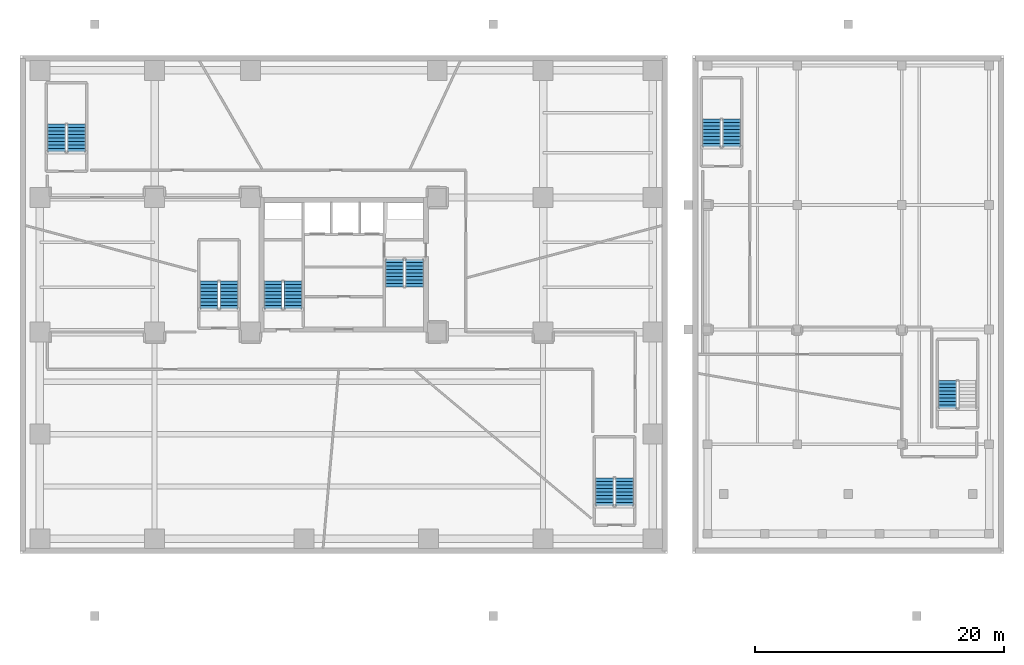
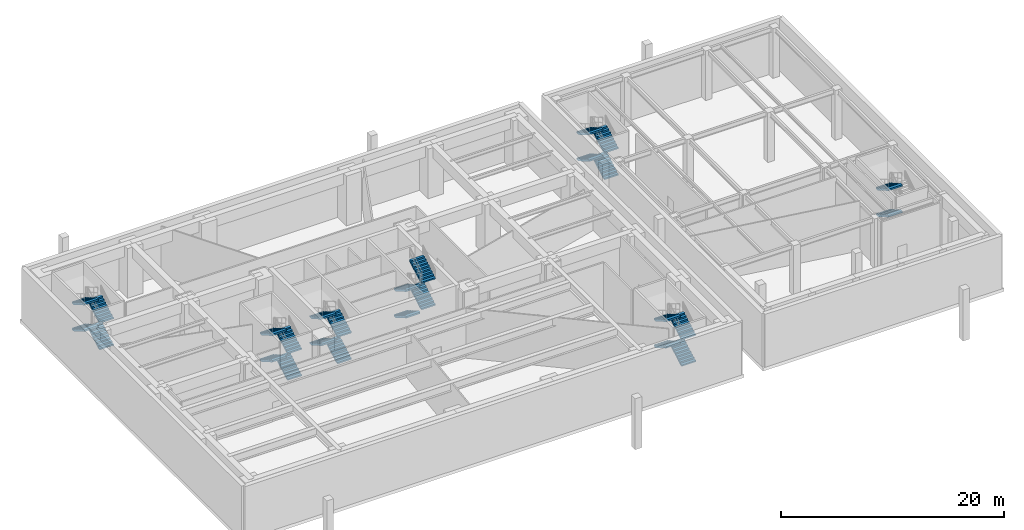
# One storey, part 7 of 12: 26 stair flights, 7 elements without a shape of their own.
"""IFC4 building model written with IfcOpenShell, lengths in metres."""

from ifc_helpers import new_model, si_unit, direction, frame, origin, place, context, subcontext, project, spatial, polyline, outline, extrude, material, layer, layer_set, type_object, element, aggregate, save


model = new_model("IFC4")

# Units and contexts
model_context = context("Model", 3, precision=1e-05, world=origin(), true_north=direction((0.0, 1.0)))
body_context = subcontext(model_context, "Body", "Model", "MODEL_VIEW")
ifc_project = project(units=[si_unit("LENGTHUNIT", "METRE"), si_unit("AREAUNIT", "SQUARE_METRE"), si_unit("VOLUMEUNIT", "CUBIC_METRE"), si_unit("PLANEANGLEUNIT", "RADIAN"), si_unit("MASSUNIT", "GRAM", prefix="KILO")], contexts=[model_context])

# Site, building, storey
site_placement = place(None, origin())
site = spatial("IfcSite", under=ifc_project, at=site_placement, CompositionType="ELEMENT")
building_placement = place(site_placement, origin())
building = spatial("IfcBuilding", under=site, at=building_placement, Name="Talar Marvaseh", CompositionType="ELEMENT")
storey_placement = place(building_placement, frame((0.0, 0.0, -5.800048828125)))
storey = spatial("IfcBuildingStorey", under=building, at=storey_placement, Name="B01", CompositionType="ELEMENT", Elevation=-5.800048828125)

# Stair, stair flights
ifc_material = material(Name="Concrete C40/50", Category="concrete")
stair_type = type_object("IfcStairType", Name="Reinforced Concrete Half-Turn Exit Stair Type A", PredefinedType="HALF_TURN_STAIR", material=ifc_material)
stair_1_placement = place(storey_placement, origin())
stair_1 = element("IfcStair", 1, at=stair_1_placement, inside=storey, type_object=stair_type, Name="B01 Tower West Core Exit Stair", PredefinedType="HALF_TURN_STAIR")
ifc_layer = layer(ifc_material, 0.18505859375)
ifc_layer_set = layer_set([ifc_layer], Name="Concrete C40/50")
stair_flight_type = type_object("IfcStairFlightType", Name="Reinforced Concrete Heavy Podium Stair Flight 185", PredefinedType="STRAIGHT", material=ifc_layer_set)
stair_flight_1_placement = place(storey_placement, frame((21.93505859375, 27.64990234375, 0.0), z_axis=(0.0, 0.0, 1.0), x_axis=(0.0, 1.0, 0.0)))
stair_flight_1 = element("IfcStairFlight", 2, at=stair_flight_1_placement, type_object=stair_flight_type, Name="ST-1 flight 1", NumberOfRisers=9, NumberOfTreads=8, PredefinedType="STRAIGHT", RiserHeight=0.161111111, TreadLength=0.28, context=body_context, shape_type="SweptSolid", body=[
    extrude(outline(polyline([(0.0, 0.0), (0.0, 0.1611328125), (0.280029296875, 0.1611328125), (0.280029296875, 0.322265625), (0.56005859375, 0.322265625), (0.56005859375, 0.4833984375), (0.840087890625, 0.4833984375), (0.840087890625, 0.64453125), (1.1201171875, 0.64453125), (1.1201171875, 0.8056640625), (1.39990234375, 0.8056640625), (1.39990234375, 0.966552734375), (1.679931640625, 0.966552734375), (1.679931640625, 1.127685546875), (1.9599609375, 1.127685546875), (1.9599609375, 1.288818359375), (2.239990234375, 1.288818359375), (2.239990234375, 1.449951171875), (2.239990234375, 1.1044921875), (0.320556640625, 0.0), (0.0, 0.0)])), frame((0.0, 0.72509765625, 0.0), z_axis=(0.0, -1.0, 0.0), x_axis=(1.0, 0.0, 0.0)), (0.0, 0.0, 1.0), 1.449951171875),
])
stair_flight_2_placement = place(storey_placement, frame((20.324951171875, 29.889892578125, 1.449951171875), z_axis=(0.0, 0.0, 1.0), x_axis=(0.0, -1.0, 0.0)))
stair_flight_2 = element("IfcStairFlight", 3, at=stair_flight_2_placement, type_object=stair_flight_type, Name="ST-1 flight 2", NumberOfRisers=9, NumberOfTreads=8, PredefinedType="STRAIGHT", RiserHeight=0.161111111, TreadLength=0.28, context=body_context, shape_type="SweptSolid", body=[
    extrude(outline(polyline([(0.0, 0.0), (0.0, 0.1611328125), (0.280029296875, 0.1611328125), (0.280029296875, 0.322265625), (0.56005859375, 0.322265625), (0.56005859375, 0.4833984375), (0.840087890625, 0.4833984375), (0.840087890625, 0.64453125), (1.1201171875, 0.64453125), (1.1201171875, 0.8056640625), (1.39990234375, 0.8056640625), (1.39990234375, 0.966552734375), (1.679931640625, 0.966552734375), (1.679931640625, 1.127685546875), (1.9599609375, 1.127685546875), (1.9599609375, 1.288818359375), (2.239990234375, 1.288818359375), (2.239990234375, 1.449951171875), (2.239990234375, 1.1044921875), (0.320556640625, 0.0), (0.0, 0.0)])), frame((0.0, 0.72509765625, 0.0), z_axis=(0.0, -1.0, 0.0), x_axis=(1.0, 0.0, 0.0)), (0.0, 0.0, 1.0), 1.449951171875),
])
stair_flight_3_placement = place(storey_placement, frame((21.93505859375, 27.64990234375, 2.900146484375), z_axis=(0.0, 0.0, 1.0), x_axis=(0.0, 1.0, 0.0)))
stair_flight_3 = element("IfcStairFlight", 4, at=stair_flight_3_placement, type_object=stair_flight_type, Name="ST-1 flight 3", NumberOfRisers=9, NumberOfTreads=8, PredefinedType="STRAIGHT", RiserHeight=0.161111111, TreadLength=0.28, context=body_context, shape_type="SweptSolid", body=[
    extrude(outline(polyline([(0.0, 0.0), (0.0, 0.1611328125), (0.280029296875, 0.1611328125), (0.280029296875, 0.322265625), (0.56005859375, 0.322265625), (0.56005859375, 0.4833984375), (0.840087890625, 0.4833984375), (0.840087890625, 0.64453125), (1.1201171875, 0.64453125), (1.1201171875, 0.8056640625), (1.39990234375, 0.8056640625), (1.39990234375, 0.966552734375), (1.679931640625, 0.966552734375), (1.679931640625, 1.127685546875), (1.9599609375, 1.127685546875), (1.9599609375, 1.288818359375), (2.239990234375, 1.288818359375), (2.239990234375, 1.449951171875), (2.239990234375, 1.1044921875), (0.320556640625, 0.0), (0.0, 0.0)])), frame((0.0, 0.72509765625, 0.0), z_axis=(0.0, -1.0, 0.0), x_axis=(1.0, 0.0, 0.0)), (0.0, 0.0, 1.0), 1.449951171875),
])
stair_flight_4_placement = place(storey_placement, frame((20.324951171875, 29.889892578125, 4.35009765625), z_axis=(0.0, 0.0, 1.0), x_axis=(0.0, -1.0, 0.0)))
stair_flight_4 = element("IfcStairFlight", 5, at=stair_flight_4_placement, type_object=stair_flight_type, Name="ST-1 flight 4", NumberOfRisers=9, NumberOfTreads=8, PredefinedType="STRAIGHT", RiserHeight=0.161111111, TreadLength=0.28, context=body_context, shape_type="SweptSolid", body=[
    extrude(outline(polyline([(0.0, 0.0), (0.0, 0.1611328125), (0.280029296875, 0.1611328125), (0.280029296875, 0.322265625), (0.56005859375, 0.322265625), (0.56005859375, 0.4833984375), (0.840087890625, 0.4833984375), (0.840087890625, 0.64453125), (1.1201171875, 0.64453125), (1.1201171875, 0.8056640625), (1.39990234375, 0.8056640625), (1.39990234375, 0.966552734375), (1.679931640625, 0.966552734375), (1.679931640625, 1.127685546875), (1.9599609375, 1.127685546875), (1.9599609375, 1.288818359375), (2.239990234375, 1.288818359375), (2.239990234375, 1.449951171875), (2.239990234375, 1.1044921875), (0.320556640625, 0.0), (0.0, 0.0)])), frame((0.0, 0.72509765625, 0.0), z_axis=(0.0, -1.0, 0.0), x_axis=(1.0, 0.0, 0.0)), (0.0, 0.0, 1.0), 1.449951171875),
])
aggregate(stair_1, [stair_flight_1, stair_flight_2, stair_flight_3, stair_flight_4])

stair_2_placement = place(storey_placement, origin())
stair_2 = element("IfcStair", 6, at=stair_2_placement, inside=storey, type_object=stair_type, Name="B01 Tower East Core Exit Stair", PredefinedType="HALF_TURN_STAIR")
stair_flight_5_placement = place(storey_placement, frame((30.06494140625, 31.64990234375, 0.0), z_axis=(0.0, 0.0, 1.0), x_axis=(0.0, -1.0, 0.0)))
stair_flight_5 = element("IfcStairFlight", 7, at=stair_flight_5_placement, type_object=stair_flight_type, Name="ST-2 flight 1", NumberOfRisers=9, NumberOfTreads=8, PredefinedType="STRAIGHT", RiserHeight=0.161111111, TreadLength=0.28, context=body_context, shape_type="SweptSolid", body=[
    extrude(outline(polyline([(0.0, 0.0), (0.0, 0.1611328125), (0.280029296875, 0.1611328125), (0.280029296875, 0.322265625), (0.56005859375, 0.322265625), (0.56005859375, 0.4833984375), (0.840087890625, 0.4833984375), (0.840087890625, 0.64453125), (1.1201171875, 0.64453125), (1.1201171875, 0.8056640625), (1.39990234375, 0.8056640625), (1.39990234375, 0.966552734375), (1.679931640625, 0.966552734375), (1.679931640625, 1.127685546875), (1.9599609375, 1.127685546875), (1.9599609375, 1.288818359375), (2.239990234375, 1.288818359375), (2.239990234375, 1.449951171875), (2.239990234375, 1.1044921875), (0.320556640625, 0.0), (0.0, 0.0)])), frame((0.0, 0.72509765625, 0.0), z_axis=(0.0, -1.0, 0.0), x_axis=(1.0, 0.0, 0.0)), (0.0, 0.0, 1.0), 1.449951171875),
])
stair_flight_6_placement = place(storey_placement, frame((31.675048828125, 29.409912109375, 1.449951171875), z_axis=(0.0, 0.0, 1.0), x_axis=(0.0, 1.0, 0.0)))
stair_flight_6 = element("IfcStairFlight", 8, at=stair_flight_6_placement, type_object=stair_flight_type, Name="ST-2 flight 2", NumberOfRisers=9, NumberOfTreads=8, PredefinedType="STRAIGHT", RiserHeight=0.161111111, TreadLength=0.28, context=body_context, shape_type="SweptSolid", body=[
    extrude(outline(polyline([(0.0, 0.0), (0.0, 0.1611328125), (0.280029296875, 0.1611328125), (0.280029296875, 0.322265625), (0.56005859375, 0.322265625), (0.56005859375, 0.4833984375), (0.840087890625, 0.4833984375), (0.840087890625, 0.64453125), (1.1201171875, 0.64453125), (1.1201171875, 0.8056640625), (1.39990234375, 0.8056640625), (1.39990234375, 0.966552734375), (1.679931640625, 0.966552734375), (1.679931640625, 1.127685546875), (1.9599609375, 1.127685546875), (1.9599609375, 1.288818359375), (2.239990234375, 1.288818359375), (2.239990234375, 1.449951171875), (2.239990234375, 1.1044921875), (0.320556640625, 0.0), (0.0, 0.0)])), frame((0.0, 0.72509765625, 0.0), z_axis=(0.0, -1.0, 0.0), x_axis=(1.0, 0.0, 0.0)), (0.0, 0.0, 1.0), 1.449951171875),
])
stair_flight_7_placement = place(storey_placement, frame((30.06494140625, 31.64990234375, 2.900146484375), z_axis=(0.0, 0.0, 1.0), x_axis=(0.0, -1.0, 0.0)))
stair_flight_7 = element("IfcStairFlight", 9, at=stair_flight_7_placement, type_object=stair_flight_type, Name="ST-2 flight 3", NumberOfRisers=9, NumberOfTreads=8, PredefinedType="STRAIGHT", RiserHeight=0.161111111, TreadLength=0.28, context=body_context, shape_type="SweptSolid", body=[
    extrude(outline(polyline([(0.0, 0.0), (0.0, 0.1611328125), (0.280029296875, 0.1611328125), (0.280029296875, 0.322265625), (0.56005859375, 0.322265625), (0.56005859375, 0.4833984375), (0.840087890625, 0.4833984375), (0.840087890625, 0.64453125), (1.1201171875, 0.64453125), (1.1201171875, 0.8056640625), (1.39990234375, 0.8056640625), (1.39990234375, 0.966552734375), (1.679931640625, 0.966552734375), (1.679931640625, 1.127685546875), (1.9599609375, 1.127685546875), (1.9599609375, 1.288818359375), (2.239990234375, 1.288818359375), (2.239990234375, 1.449951171875), (2.239990234375, 1.1044921875), (0.320556640625, 0.0), (0.0, 0.0)])), frame((0.0, 0.72509765625, 0.0), z_axis=(0.0, -1.0, 0.0), x_axis=(1.0, 0.0, 0.0)), (0.0, 0.0, 1.0), 1.449951171875),
])
stair_flight_8_placement = place(storey_placement, frame((31.675048828125, 29.409912109375, 4.35009765625), z_axis=(0.0, 0.0, 1.0), x_axis=(0.0, 1.0, 0.0)))
stair_flight_8 = element("IfcStairFlight", 10, at=stair_flight_8_placement, type_object=stair_flight_type, Name="ST-2 flight 4", NumberOfRisers=9, NumberOfTreads=8, PredefinedType="STRAIGHT", RiserHeight=0.161111111, TreadLength=0.28, context=body_context, shape_type="SweptSolid", body=[
    extrude(outline(polyline([(0.0, 0.0), (0.0, 0.1611328125), (0.280029296875, 0.1611328125), (0.280029296875, 0.322265625), (0.56005859375, 0.322265625), (0.56005859375, 0.4833984375), (0.840087890625, 0.4833984375), (0.840087890625, 0.64453125), (1.1201171875, 0.64453125), (1.1201171875, 0.8056640625), (1.39990234375, 0.8056640625), (1.39990234375, 0.966552734375), (1.679931640625, 0.966552734375), (1.679931640625, 1.127685546875), (1.9599609375, 1.127685546875), (1.9599609375, 1.288818359375), (2.239990234375, 1.288818359375), (2.239990234375, 1.449951171875), (2.239990234375, 1.1044921875), (0.320556640625, 0.0), (0.0, 0.0)])), frame((0.0, 0.72509765625, 0.0), z_axis=(0.0, -1.0, 0.0), x_axis=(1.0, 0.0, 0.0)), (0.0, 0.0, 1.0), 1.449951171875),
])
aggregate(stair_2, [stair_flight_5, stair_flight_6, stair_flight_7, stair_flight_8])

stair_3_placement = place(storey_placement, origin())
stair_3 = element("IfcStair", 11, at=stair_3_placement, inside=storey, type_object=stair_type, Name="B01 Museum & Podium Auxiliary Exit Stair", PredefinedType="HALF_TURN_STAIR")
stair_flight_9_placement = place(storey_placement, frame((16.77490234375, 27.64990234375, 0.0), z_axis=(0.0, 0.0, 1.0), x_axis=(0.0, 1.0, 0.0)))
stair_flight_9 = element("IfcStairFlight", 12, at=stair_flight_9_placement, type_object=stair_flight_type, Name="ST-3 flight 1", NumberOfRisers=9, NumberOfTreads=8, PredefinedType="STRAIGHT", RiserHeight=0.161111111, TreadLength=0.28, context=body_context, shape_type="SweptSolid", body=[
    extrude(outline(polyline([(0.0, 0.0), (0.0, 0.1611328125), (0.280029296875, 0.1611328125), (0.280029296875, 0.322265625), (0.56005859375, 0.322265625), (0.56005859375, 0.4833984375), (0.840087890625, 0.4833984375), (0.840087890625, 0.64453125), (1.1201171875, 0.64453125), (1.1201171875, 0.8056640625), (1.39990234375, 0.8056640625), (1.39990234375, 0.966552734375), (1.679931640625, 0.966552734375), (1.679931640625, 1.127685546875), (1.9599609375, 1.127685546875), (1.9599609375, 1.288818359375), (2.239990234375, 1.288818359375), (2.239990234375, 1.449951171875), (2.239990234375, 1.1044921875), (0.320556640625, 0.0), (0.0, 0.0)])), frame((0.0, 0.72509765625, 0.0), z_axis=(0.0, -1.0, 0.0), x_axis=(1.0, 0.0, 0.0)), (0.0, 0.0, 1.0), 1.449951171875),
])
stair_flight_10_placement = place(storey_placement, frame((15.1650390625, 29.889892578125, 1.449951171875), z_axis=(0.0, 0.0, 1.0), x_axis=(0.0, -1.0, 0.0)))
stair_flight_10 = element("IfcStairFlight", 13, at=stair_flight_10_placement, type_object=stair_flight_type, Name="ST-3 flight 2", NumberOfRisers=9, NumberOfTreads=8, PredefinedType="STRAIGHT", RiserHeight=0.161111111, TreadLength=0.28, context=body_context, shape_type="SweptSolid", body=[
    extrude(outline(polyline([(0.0, 0.0), (0.0, 0.1611328125), (0.280029296875, 0.1611328125), (0.280029296875, 0.322265625), (0.56005859375, 0.322265625), (0.56005859375, 0.4833984375), (0.840087890625, 0.4833984375), (0.840087890625, 0.64453125), (1.1201171875, 0.64453125), (1.1201171875, 0.8056640625), (1.39990234375, 0.8056640625), (1.39990234375, 0.966552734375), (1.679931640625, 0.966552734375), (1.679931640625, 1.127685546875), (1.9599609375, 1.127685546875), (1.9599609375, 1.288818359375), (2.239990234375, 1.288818359375), (2.239990234375, 1.449951171875), (2.239990234375, 1.1044921875), (0.320556640625, 0.0), (0.0, 0.0)])), frame((0.0, 0.72509765625, 0.0), z_axis=(0.0, -1.0, 0.0), x_axis=(1.0, 0.0, 0.0)), (0.0, 0.0, 1.0), 1.449951171875),
])
stair_flight_11_placement = place(storey_placement, frame((16.77490234375, 27.64990234375, 2.900146484375), z_axis=(0.0, 0.0, 1.0), x_axis=(0.0, 1.0, 0.0)))
stair_flight_11 = element("IfcStairFlight", 14, at=stair_flight_11_placement, type_object=stair_flight_type, Name="ST-3 flight 3", NumberOfRisers=9, NumberOfTreads=8, PredefinedType="STRAIGHT", RiserHeight=0.161111111, TreadLength=0.28, context=body_context, shape_type="SweptSolid", body=[
    extrude(outline(polyline([(0.0, 0.0), (0.0, 0.1611328125), (0.280029296875, 0.1611328125), (0.280029296875, 0.322265625), (0.56005859375, 0.322265625), (0.56005859375, 0.4833984375), (0.840087890625, 0.4833984375), (0.840087890625, 0.64453125), (1.1201171875, 0.64453125), (1.1201171875, 0.8056640625), (1.39990234375, 0.8056640625), (1.39990234375, 0.966552734375), (1.679931640625, 0.966552734375), (1.679931640625, 1.127685546875), (1.9599609375, 1.127685546875), (1.9599609375, 1.288818359375), (2.239990234375, 1.288818359375), (2.239990234375, 1.449951171875), (2.239990234375, 1.1044921875), (0.320556640625, 0.0), (0.0, 0.0)])), frame((0.0, 0.72509765625, 0.0), z_axis=(0.0, -1.0, 0.0), x_axis=(1.0, 0.0, 0.0)), (0.0, 0.0, 1.0), 1.449951171875),
])
stair_flight_12_placement = place(storey_placement, frame((15.1650390625, 29.889892578125, 4.35009765625), z_axis=(0.0, 0.0, 1.0), x_axis=(0.0, -1.0, 0.0)))
stair_flight_12 = element("IfcStairFlight", 15, at=stair_flight_12_placement, type_object=stair_flight_type, Name="ST-3 flight 4", NumberOfRisers=9, NumberOfTreads=8, PredefinedType="STRAIGHT", RiserHeight=0.161111111, TreadLength=0.28, context=body_context, shape_type="SweptSolid", body=[
    extrude(outline(polyline([(0.0, 0.0), (0.0, 0.1611328125), (0.280029296875, 0.1611328125), (0.280029296875, 0.322265625), (0.56005859375, 0.322265625), (0.56005859375, 0.4833984375), (0.840087890625, 0.4833984375), (0.840087890625, 0.64453125), (1.1201171875, 0.64453125), (1.1201171875, 0.8056640625), (1.39990234375, 0.8056640625), (1.39990234375, 0.966552734375), (1.679931640625, 0.966552734375), (1.679931640625, 1.127685546875), (1.9599609375, 1.127685546875), (1.9599609375, 1.288818359375), (2.239990234375, 1.288818359375), (2.239990234375, 1.449951171875), (2.239990234375, 1.1044921875), (0.320556640625, 0.0), (0.0, 0.0)])), frame((0.0, 0.72509765625, 0.0), z_axis=(0.0, -1.0, 0.0), x_axis=(1.0, 0.0, 0.0)), (0.0, 0.0, 1.0), 1.449951171875),
])
aggregate(stair_3, [stair_flight_9, stair_flight_10, stair_flight_11, stair_flight_12])

stair_4_placement = place(storey_placement, origin())
stair_4 = element("IfcStair", 16, at=stair_4_placement, inside=storey, type_object=stair_type, Name="B01 Market Hall North-West Exit Stair", PredefinedType="HALF_TURN_STAIR")
stair_flight_13_placement = place(storey_placement, frame((57.135009765625, 40.64990234375, 0.0), z_axis=(0.0, 0.0, 1.0), x_axis=(0.0, 1.0, 0.0)))
stair_flight_13 = element("IfcStairFlight", 17, at=stair_flight_13_placement, type_object=stair_flight_type, Name="MH-ST1 flight 1", NumberOfRisers=9, NumberOfTreads=8, PredefinedType="STRAIGHT", RiserHeight=0.161111111, TreadLength=0.28, context=body_context, shape_type="SweptSolid", body=[
    extrude(outline(polyline([(0.0, 0.0), (0.0, 0.1611328125), (0.280029296875, 0.1611328125), (0.280029296875, 0.322265625), (0.56005859375, 0.322265625), (0.56005859375, 0.4833984375), (0.840087890625, 0.4833984375), (0.840087890625, 0.64453125), (1.1201171875, 0.64453125), (1.1201171875, 0.8056640625), (1.39990234375, 0.8056640625), (1.39990234375, 0.966552734375), (1.679931640625, 0.966552734375), (1.679931640625, 1.127685546875), (1.9599609375, 1.127685546875), (1.9599609375, 1.288818359375), (2.239990234375, 1.288818359375), (2.239990234375, 1.449951171875), (2.239990234375, 1.1044921875), (0.320556640625, 0.0), (0.0, 0.0)])), frame((0.0, 0.72509765625, 0.0), z_axis=(0.0, -1.0, 0.0), x_axis=(1.0, 0.0, 0.0)), (0.0, 0.0, 1.0), 1.449951171875),
])
stair_flight_14_placement = place(storey_placement, frame((55.52490234375, 42.889892578125, 1.449951171875), z_axis=(0.0, 0.0, 1.0), x_axis=(0.0, -1.0, 0.0)))
stair_flight_14 = element("IfcStairFlight", 18, at=stair_flight_14_placement, type_object=stair_flight_type, Name="MH-ST1 flight 2", NumberOfRisers=9, NumberOfTreads=8, PredefinedType="STRAIGHT", RiserHeight=0.161111111, TreadLength=0.28, context=body_context, shape_type="SweptSolid", body=[
    extrude(outline(polyline([(0.0, 0.0), (0.0, 0.1611328125), (0.280029296875, 0.1611328125), (0.280029296875, 0.322265625), (0.56005859375, 0.322265625), (0.56005859375, 0.4833984375), (0.840087890625, 0.4833984375), (0.840087890625, 0.64453125), (1.1201171875, 0.64453125), (1.1201171875, 0.8056640625), (1.39990234375, 0.8056640625), (1.39990234375, 0.966552734375), (1.679931640625, 0.966552734375), (1.679931640625, 1.127685546875), (1.9599609375, 1.127685546875), (1.9599609375, 1.288818359375), (2.239990234375, 1.288818359375), (2.239990234375, 1.449951171875), (2.239990234375, 1.1044921875), (0.320556640625, 0.0), (0.0, 0.0)])), frame((0.0, 0.72509765625, 0.0), z_axis=(0.0, -1.0, 0.0), x_axis=(1.0, 0.0, 0.0)), (0.0, 0.0, 1.0), 1.449951171875),
])
stair_flight_15_placement = place(storey_placement, frame((57.135009765625, 40.64990234375, 2.900146484375), z_axis=(0.0, 0.0, 1.0), x_axis=(0.0, 1.0, 0.0)))
stair_flight_15 = element("IfcStairFlight", 19, at=stair_flight_15_placement, type_object=stair_flight_type, Name="MH-ST1 flight 3", NumberOfRisers=9, NumberOfTreads=8, PredefinedType="STRAIGHT", RiserHeight=0.161111111, TreadLength=0.28, context=body_context, shape_type="SweptSolid", body=[
    extrude(outline(polyline([(0.0, 0.0), (0.0, 0.1611328125), (0.280029296875, 0.1611328125), (0.280029296875, 0.322265625), (0.56005859375, 0.322265625), (0.56005859375, 0.4833984375), (0.840087890625, 0.4833984375), (0.840087890625, 0.64453125), (1.1201171875, 0.64453125), (1.1201171875, 0.8056640625), (1.39990234375, 0.8056640625), (1.39990234375, 0.966552734375), (1.679931640625, 0.966552734375), (1.679931640625, 1.127685546875), (1.9599609375, 1.127685546875), (1.9599609375, 1.288818359375), (2.239990234375, 1.288818359375), (2.239990234375, 1.449951171875), (2.239990234375, 1.1044921875), (0.320556640625, 0.0), (0.0, 0.0)])), frame((0.0, 0.72509765625, 0.0), z_axis=(0.0, -1.0, 0.0), x_axis=(1.0, 0.0, 0.0)), (0.0, 0.0, 1.0), 1.449951171875),
])
stair_flight_16_placement = place(storey_placement, frame((55.52490234375, 42.889892578125, 4.35009765625), z_axis=(0.0, 0.0, 1.0), x_axis=(0.0, -1.0, 0.0)))
stair_flight_16 = element("IfcStairFlight", 20, at=stair_flight_16_placement, type_object=stair_flight_type, Name="MH-ST1 flight 4", NumberOfRisers=9, NumberOfTreads=8, PredefinedType="STRAIGHT", RiserHeight=0.161111111, TreadLength=0.28, context=body_context, shape_type="SweptSolid", body=[
    extrude(outline(polyline([(0.0, 0.0), (0.0, 0.1611328125), (0.280029296875, 0.1611328125), (0.280029296875, 0.322265625), (0.56005859375, 0.322265625), (0.56005859375, 0.4833984375), (0.840087890625, 0.4833984375), (0.840087890625, 0.64453125), (1.1201171875, 0.64453125), (1.1201171875, 0.8056640625), (1.39990234375, 0.8056640625), (1.39990234375, 0.966552734375), (1.679931640625, 0.966552734375), (1.679931640625, 1.127685546875), (1.9599609375, 1.127685546875), (1.9599609375, 1.288818359375), (2.239990234375, 1.288818359375), (2.239990234375, 1.449951171875), (2.239990234375, 1.1044921875), (0.320556640625, 0.0), (0.0, 0.0)])), frame((0.0, 0.72509765625, 0.0), z_axis=(0.0, -1.0, 0.0), x_axis=(1.0, 0.0, 0.0)), (0.0, 0.0, 1.0), 1.449951171875),
])
aggregate(stair_4, [stair_flight_13, stair_flight_14, stair_flight_15, stair_flight_16])

stair_5_placement = place(storey_placement, origin())
stair_5 = element("IfcStair", 21, at=stair_5_placement, inside=storey, type_object=stair_type, Name="B01 Market Hall South-East Exit Stair", PredefinedType="HALF_TURN_STAIR")
stair_flight_17_placement = place(storey_placement, frame((74.465087890625, 21.889892578125, 1.449951171875), z_axis=(0.0, 0.0, 1.0), x_axis=(0.0, -1.0, 0.0)))
stair_flight_17 = element("IfcStairFlight", 22, at=stair_flight_17_placement, type_object=stair_flight_type, Name="MH-ST2 flight 2", NumberOfRisers=9, NumberOfTreads=8, PredefinedType="STRAIGHT", RiserHeight=0.161111111, TreadLength=0.28, context=body_context, shape_type="SweptSolid", body=[
    extrude(outline(polyline([(0.0, 0.0), (0.0, 0.1611328125), (0.280029296875, 0.1611328125), (0.280029296875, 0.322265625), (0.56005859375, 0.322265625), (0.56005859375, 0.4833984375), (0.840087890625, 0.4833984375), (0.840087890625, 0.64453125), (1.1201171875, 0.64453125), (1.1201171875, 0.8056640625), (1.39990234375, 0.8056640625), (1.39990234375, 0.966552734375), (1.679931640625, 0.966552734375), (1.679931640625, 1.127685546875), (1.9599609375, 1.127685546875), (1.9599609375, 1.288818359375), (2.239990234375, 1.288818359375), (2.239990234375, 1.449951171875), (2.239990234375, 1.1044921875), (0.320556640625, 0.0), (0.0, 0.0)])), frame((0.0, 0.72509765625, 0.0), z_axis=(0.0, -1.0, 0.0), x_axis=(1.0, 0.0, 0.0)), (0.0, 0.0, 1.0), 1.449951171875),
])
stair_flight_18_placement = place(storey_placement, frame((74.465087890625, 21.889892578125, 4.35009765625), z_axis=(0.0, 0.0, 1.0), x_axis=(0.0, -1.0, 0.0)))
stair_flight_18 = element("IfcStairFlight", 23, at=stair_flight_18_placement, type_object=stair_flight_type, Name="MH-ST2 flight 4", NumberOfRisers=9, NumberOfTreads=8, PredefinedType="STRAIGHT", RiserHeight=0.161111111, TreadLength=0.28, context=body_context, shape_type="SweptSolid", body=[
    extrude(outline(polyline([(0.0, 0.0), (0.0, 0.1611328125), (0.280029296875, 0.1611328125), (0.280029296875, 0.322265625), (0.56005859375, 0.322265625), (0.56005859375, 0.4833984375), (0.840087890625, 0.4833984375), (0.840087890625, 0.64453125), (1.1201171875, 0.64453125), (1.1201171875, 0.8056640625), (1.39990234375, 0.8056640625), (1.39990234375, 0.966552734375), (1.679931640625, 0.966552734375), (1.679931640625, 1.127685546875), (1.9599609375, 1.127685546875), (1.9599609375, 1.288818359375), (2.239990234375, 1.288818359375), (2.239990234375, 1.449951171875), (2.239990234375, 1.1044921875), (0.320556640625, 0.0), (0.0, 0.0)])), frame((0.0, 0.72509765625, 0.0), z_axis=(0.0, -1.0, 0.0), x_axis=(1.0, 0.0, 0.0)), (0.0, 0.0, 1.0), 1.449951171875),
])
aggregate(stair_5, [stair_flight_17, stair_flight_18])

stair_6_placement = place(storey_placement, origin())
stair_6 = element("IfcStair", 24, at=stair_6_placement, inside=storey, type_object=stair_type, Name="B01 Metro Station North-West Exit Stair", PredefinedType="HALF_TURN_STAIR")
stair_flight_19_placement = place(storey_placement, frame((4.534912109375, 40.25, 0.0), z_axis=(0.0, 0.0, 1.0), x_axis=(0.0, 1.0, 0.0)))
stair_flight_19 = element("IfcStairFlight", 25, at=stair_flight_19_placement, type_object=stair_flight_type, Name="STN-ST1 flight 1", NumberOfRisers=9, NumberOfTreads=8, PredefinedType="STRAIGHT", RiserHeight=0.161111111, TreadLength=0.28, context=body_context, shape_type="SweptSolid", body=[
    extrude(outline(polyline([(0.0, 0.0), (0.0, 0.1611328125), (0.280029296875, 0.1611328125), (0.280029296875, 0.322265625), (0.56005859375, 0.322265625), (0.56005859375, 0.4833984375), (0.840087890625, 0.4833984375), (0.840087890625, 0.64453125), (1.1201171875, 0.64453125), (1.1201171875, 0.8056640625), (1.39990234375, 0.8056640625), (1.39990234375, 0.966552734375), (1.679931640625, 0.966552734375), (1.679931640625, 1.127685546875), (1.9599609375, 1.127685546875), (1.9599609375, 1.288818359375), (2.239990234375, 1.288818359375), (2.239990234375, 1.449951171875), (2.239990234375, 1.1044921875), (0.320556640625, 0.0), (0.0, 0.0)])), frame((0.0, 0.72509765625, 0.0), z_axis=(0.0, -1.0, 0.0), x_axis=(1.0, 0.0, 0.0)), (0.0, 0.0, 1.0), 1.449951171875),
])
stair_flight_20_placement = place(storey_placement, frame((2.925048828125, 42.489990234375, 1.449951171875), z_axis=(0.0, 0.0, 1.0), x_axis=(0.0, -1.0, 0.0)))
stair_flight_20 = element("IfcStairFlight", 26, at=stair_flight_20_placement, type_object=stair_flight_type, Name="STN-ST1 flight 2", NumberOfRisers=9, NumberOfTreads=8, PredefinedType="STRAIGHT", RiserHeight=0.161111111, TreadLength=0.28, context=body_context, shape_type="SweptSolid", body=[
    extrude(outline(polyline([(0.0, 0.0), (0.0, 0.1611328125), (0.280029296875, 0.1611328125), (0.280029296875, 0.322265625), (0.56005859375, 0.322265625), (0.56005859375, 0.4833984375), (0.840087890625, 0.4833984375), (0.840087890625, 0.64453125), (1.1201171875, 0.64453125), (1.1201171875, 0.8056640625), (1.39990234375, 0.8056640625), (1.39990234375, 0.966552734375), (1.679931640625, 0.966552734375), (1.679931640625, 1.127685546875), (1.9599609375, 1.127685546875), (1.9599609375, 1.288818359375), (2.239990234375, 1.288818359375), (2.239990234375, 1.449951171875), (2.239990234375, 1.1044921875), (0.320556640625, 0.0), (0.0, 0.0)])), frame((0.0, 0.72509765625, 0.0), z_axis=(0.0, -1.0, 0.0), x_axis=(1.0, 0.0, 0.0)), (0.0, 0.0, 1.0), 1.449951171875),
])
stair_flight_21_placement = place(storey_placement, frame((4.534912109375, 40.25, 2.900146484375), z_axis=(0.0, 0.0, 1.0), x_axis=(0.0, 1.0, 0.0)))
stair_flight_21 = element("IfcStairFlight", 27, at=stair_flight_21_placement, type_object=stair_flight_type, Name="STN-ST1 flight 3", NumberOfRisers=9, NumberOfTreads=8, PredefinedType="STRAIGHT", RiserHeight=0.161111111, TreadLength=0.28, context=body_context, shape_type="SweptSolid", body=[
    extrude(outline(polyline([(0.0, 0.0), (0.0, 0.1611328125), (0.280029296875, 0.1611328125), (0.280029296875, 0.322265625), (0.56005859375, 0.322265625), (0.56005859375, 0.4833984375), (0.840087890625, 0.4833984375), (0.840087890625, 0.64453125), (1.1201171875, 0.64453125), (1.1201171875, 0.8056640625), (1.39990234375, 0.8056640625), (1.39990234375, 0.966552734375), (1.679931640625, 0.966552734375), (1.679931640625, 1.127685546875), (1.9599609375, 1.127685546875), (1.9599609375, 1.288818359375), (2.239990234375, 1.288818359375), (2.239990234375, 1.449951171875), (2.239990234375, 1.1044921875), (0.320556640625, 0.0), (0.0, 0.0)])), frame((0.0, 0.72509765625, 0.0), z_axis=(0.0, -1.0, 0.0), x_axis=(1.0, 0.0, 0.0)), (0.0, 0.0, 1.0), 1.449951171875),
])
stair_flight_22_placement = place(storey_placement, frame((2.925048828125, 42.489990234375, 4.35009765625), z_axis=(0.0, 0.0, 1.0), x_axis=(0.0, -1.0, 0.0)))
stair_flight_22 = element("IfcStairFlight", 28, at=stair_flight_22_placement, type_object=stair_flight_type, Name="STN-ST1 flight 4", NumberOfRisers=9, NumberOfTreads=8, PredefinedType="STRAIGHT", RiserHeight=0.161111111, TreadLength=0.28, context=body_context, shape_type="SweptSolid", body=[
    extrude(outline(polyline([(0.0, 0.0), (0.0, 0.1611328125), (0.280029296875, 0.1611328125), (0.280029296875, 0.322265625), (0.56005859375, 0.322265625), (0.56005859375, 0.4833984375), (0.840087890625, 0.4833984375), (0.840087890625, 0.64453125), (1.1201171875, 0.64453125), (1.1201171875, 0.8056640625), (1.39990234375, 0.8056640625), (1.39990234375, 0.966552734375), (1.679931640625, 0.966552734375), (1.679931640625, 1.127685546875), (1.9599609375, 1.127685546875), (1.9599609375, 1.288818359375), (2.239990234375, 1.288818359375), (2.239990234375, 1.449951171875), (2.239990234375, 1.1044921875), (0.320556640625, 0.0), (0.0, 0.0)])), frame((0.0, 0.72509765625, 0.0), z_axis=(0.0, -1.0, 0.0), x_axis=(1.0, 0.0, 0.0)), (0.0, 0.0, 1.0), 1.449951171875),
])
aggregate(stair_6, [stair_flight_19, stair_flight_20, stair_flight_21, stair_flight_22])

stair_7_placement = place(storey_placement, origin())
stair_7 = element("IfcStair", 29, at=stair_7_placement, inside=storey, type_object=stair_type, Name="B01 Metro Station South-East Exit Stair", PredefinedType="HALF_TURN_STAIR")
stair_flight_23_placement = place(storey_placement, frame((48.534912109375, 11.85009765625, 0.0), z_axis=(0.0, 0.0, 1.0), x_axis=(0.0, 1.0, 0.0)))
stair_flight_23 = element("IfcStairFlight", 30, at=stair_flight_23_placement, type_object=stair_flight_type, Name="STN-ST2 flight 1", NumberOfRisers=9, NumberOfTreads=8, PredefinedType="STRAIGHT", RiserHeight=0.161111111, TreadLength=0.28, context=body_context, shape_type="SweptSolid", body=[
    extrude(outline(polyline([(0.0, 0.0), (0.0, 0.1611328125), (0.280029296875, 0.1611328125), (0.280029296875, 0.322265625), (0.56005859375, 0.322265625), (0.56005859375, 0.4833984375), (0.840087890625, 0.4833984375), (0.840087890625, 0.64453125), (1.1201171875, 0.64453125), (1.1201171875, 0.8056640625), (1.39990234375, 0.8056640625), (1.39990234375, 0.966552734375), (1.679931640625, 0.966552734375), (1.679931640625, 1.127685546875), (1.9599609375, 1.127685546875), (1.9599609375, 1.288818359375), (2.239990234375, 1.288818359375), (2.239990234375, 1.449951171875), (2.239990234375, 1.1044921875), (0.320556640625, 0.0), (0.0, 0.0)])), frame((0.0, 0.72509765625, 0.0), z_axis=(0.0, -1.0, 0.0), x_axis=(1.0, 0.0, 0.0)), (0.0, 0.0, 1.0), 1.449951171875),
])
stair_flight_24_placement = place(storey_placement, frame((46.925048828125, 14.090087890625, 1.449951171875), z_axis=(0.0, 0.0, 1.0), x_axis=(0.0, -1.0, 0.0)))
stair_flight_24 = element("IfcStairFlight", 31, at=stair_flight_24_placement, type_object=stair_flight_type, Name="STN-ST2 flight 2", NumberOfRisers=9, NumberOfTreads=8, PredefinedType="STRAIGHT", RiserHeight=0.161111111, TreadLength=0.28, context=body_context, shape_type="SweptSolid", body=[
    extrude(outline(polyline([(0.0, 0.0), (0.0, 0.1611328125), (0.280029296875, 0.1611328125), (0.280029296875, 0.322265625), (0.56005859375, 0.322265625), (0.56005859375, 0.4833984375), (0.840087890625, 0.4833984375), (0.840087890625, 0.64453125), (1.1201171875, 0.64453125), (1.1201171875, 0.8056640625), (1.39990234375, 0.8056640625), (1.39990234375, 0.966552734375), (1.679931640625, 0.966552734375), (1.679931640625, 1.127685546875), (1.9599609375, 1.127685546875), (1.9599609375, 1.288818359375), (2.239990234375, 1.288818359375), (2.239990234375, 1.449951171875), (2.239990234375, 1.1044921875), (0.320556640625, 0.0), (0.0, 0.0)])), frame((0.0, 0.72509765625, 0.0), z_axis=(0.0, -1.0, 0.0), x_axis=(1.0, 0.0, 0.0)), (0.0, 0.0, 1.0), 1.449951171875),
])
stair_flight_25_placement = place(storey_placement, frame((48.534912109375, 11.85009765625, 2.900146484375), z_axis=(0.0, 0.0, 1.0), x_axis=(0.0, 1.0, 0.0)))
stair_flight_25 = element("IfcStairFlight", 32, at=stair_flight_25_placement, type_object=stair_flight_type, Name="STN-ST2 flight 3", NumberOfRisers=9, NumberOfTreads=8, PredefinedType="STRAIGHT", RiserHeight=0.161111111, TreadLength=0.28, context=body_context, shape_type="SweptSolid", body=[
    extrude(outline(polyline([(0.0, 0.0), (0.0, 0.1611328125), (0.280029296875, 0.1611328125), (0.280029296875, 0.322265625), (0.56005859375, 0.322265625), (0.56005859375, 0.4833984375), (0.840087890625, 0.4833984375), (0.840087890625, 0.64453125), (1.1201171875, 0.64453125), (1.1201171875, 0.8056640625), (1.39990234375, 0.8056640625), (1.39990234375, 0.966552734375), (1.679931640625, 0.966552734375), (1.679931640625, 1.127685546875), (1.9599609375, 1.127685546875), (1.9599609375, 1.288818359375), (2.239990234375, 1.288818359375), (2.239990234375, 1.449951171875), (2.239990234375, 1.1044921875), (0.320556640625, 0.0), (0.0, 0.0)])), frame((0.0, 0.72509765625, 0.0), z_axis=(0.0, -1.0, 0.0), x_axis=(1.0, 0.0, 0.0)), (0.0, 0.0, 1.0), 1.449951171875),
])
stair_flight_26_placement = place(storey_placement, frame((46.925048828125, 14.090087890625, 4.35009765625), z_axis=(0.0, 0.0, 1.0), x_axis=(0.0, -1.0, 0.0)))
stair_flight_26 = element("IfcStairFlight", 33, at=stair_flight_26_placement, type_object=stair_flight_type, Name="STN-ST2 flight 4", NumberOfRisers=9, NumberOfTreads=8, PredefinedType="STRAIGHT", RiserHeight=0.161111111, TreadLength=0.28, context=body_context, shape_type="SweptSolid", body=[
    extrude(outline(polyline([(0.0, 0.0), (0.0, 0.1611328125), (0.280029296875, 0.1611328125), (0.280029296875, 0.322265625), (0.56005859375, 0.322265625), (0.56005859375, 0.4833984375), (0.840087890625, 0.4833984375), (0.840087890625, 0.64453125), (1.1201171875, 0.64453125), (1.1201171875, 0.8056640625), (1.39990234375, 0.8056640625), (1.39990234375, 0.966552734375), (1.679931640625, 0.966552734375), (1.679931640625, 1.127685546875), (1.9599609375, 1.127685546875), (1.9599609375, 1.288818359375), (2.239990234375, 1.288818359375), (2.239990234375, 1.449951171875), (2.239990234375, 1.1044921875), (0.320556640625, 0.0), (0.0, 0.0)])), frame((0.0, 0.72509765625, 0.0), z_axis=(0.0, -1.0, 0.0), x_axis=(1.0, 0.0, 0.0)), (0.0, 0.0, 1.0), 1.449951171875),
])
aggregate(stair_7, [stair_flight_23, stair_flight_24, stair_flight_25, stair_flight_26])

save(model, "model.ifc")
